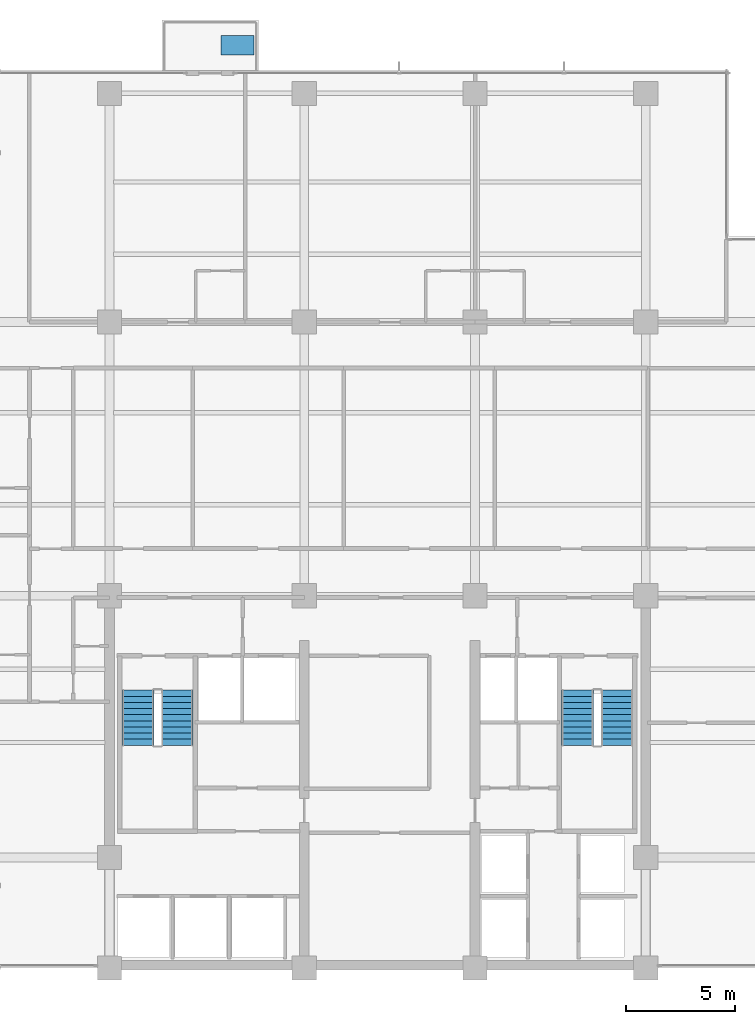
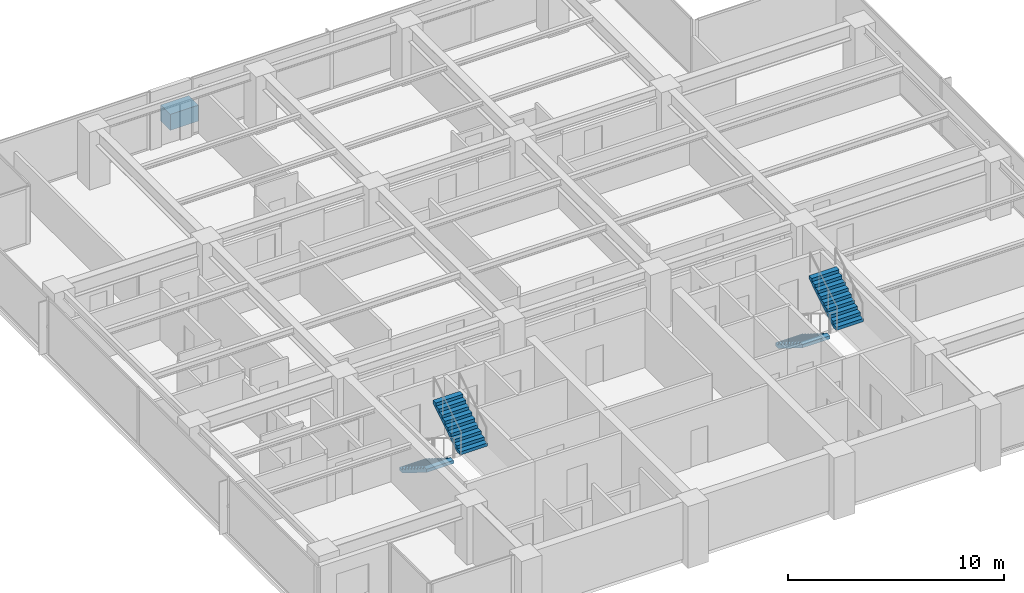
# One storey, part 10 of 14: 4 stair flights, 1 discrete accessory, 2 elements without a shape of their own.
"""IFC4 building model written with IfcOpenShell, lengths in metres."""

from ifc_helpers import new_model, si_unit, direction, frame, origin, place, context, subcontext, project, spatial, polyline, outline, extrude, material, layer, layer_set, type_object, element, aggregate, save


model = new_model("IFC4")

# Units and contexts
model_context = context("Model", 3, precision=1e-05, world=origin(), true_north=direction((0.0, 1.0)))
body_context = subcontext(model_context, "Body", "Model", "MODEL_VIEW")
ifc_project = project(units=[si_unit("LENGTHUNIT", "METRE"), si_unit("AREAUNIT", "SQUARE_METRE"), si_unit("VOLUMEUNIT", "CUBIC_METRE"), si_unit("PLANEANGLEUNIT", "RADIAN"), si_unit("MASSUNIT", "GRAM", prefix="KILO")], contexts=[model_context])

# Site, building, storey
site_placement = place(None, origin())
site = spatial("IfcSite", under=ifc_project, at=site_placement, CompositionType="ELEMENT")
building_placement = place(site_placement, origin())
building = spatial("IfcBuilding", under=site, at=building_placement, Name="Qalmaran Belvedere Hotel", CompositionType="ELEMENT")
storey_placement = place(building_placement, frame((0.0, 0.0, 166.60009765625)))
storey = spatial("IfcBuildingStorey", under=building, at=storey_placement, Name="L42", CompositionType="ELEMENT", Elevation=166.60009765625)

# Stair, stair flights
ifc_material = material(Name="Concrete C40/50", Category="concrete")
stair_type_1 = type_object("IfcStairType", Name="STR-ST-1-1450-R1750", PredefinedType="HALF_TURN_STAIR", material=ifc_material)
stair_1_placement = place(storey_placement, origin())
stair_1 = element("IfcStair", 1, at=stair_1_placement, inside=storey, type_object=stair_type_1, Name="L42 West Core Exit Stair ST-1", PredefinedType="HALF_TURN_STAIR")
ifc_layer_1 = layer(ifc_material, 0.14990234375, Name="Concrete C40/50")
ifc_layer_set_1 = layer_set([ifc_layer_1], Name="Concrete C40/50")
stair_flight_type_1 = type_object("IfcStairFlightType", Name="STF-ST-1-1450-R1750", PredefinedType="STRAIGHT", material=ifc_layer_set_1)
stair_flight_1_placement = place(storey_placement, frame((21.60498046875, 16.18994140625, 0.0), z_axis=(0.0, 0.0, 1.0), x_axis=(0.0, -1.0, 0.0)))
stair_flight_1 = element("IfcStairFlight", 2, at=stair_flight_1_placement, type_object=stair_flight_type_1, Name="ST-1 flight 1", NumberOfRisers=10, NumberOfTreads=9, PredefinedType="STRAIGHT", RiserHeight=0.175, TreadLength=0.28, context=body_context, shape_type="SweptSolid", body=[
    extrude(outline(polyline([(0.0, 0.0), (0.0, 0.175048828125), (0.280029296875, 0.175048828125), (0.280029296875, 0.35009765625), (0.56005859375, 0.35009765625), (0.56005859375, 0.52490234375), (0.840087890625, 0.52490234375), (0.840087890625, 0.699951171875), (1.1201171875, 0.699951171875), (1.1201171875, 0.875), (1.39990234375, 0.875), (1.39990234375, 1.050048828125), (1.679931640625, 1.050048828125), (1.679931640625, 1.22509765625), (1.9599609375, 1.22509765625), (1.9599609375, 1.39990234375), (2.239990234375, 1.39990234375), (2.239990234375, 1.574951171875), (2.52001953125, 1.574951171875), (2.52001953125, 1.75), (2.52001953125, 1.398193359375), (0.28271484375, 0.0), (0.0, 0.0)])), frame((0.0, 0.72509765625, 0.0), z_axis=(0.0, -1.0, 0.0), x_axis=(1.0, 0.0, 0.0)), (0.0, 0.0, 1.0), 1.449951171875),
])
stair_flight_2_placement = place(storey_placement, frame((23.39501953125, 13.669921875, 1.75), z_axis=(0.0, 0.0, 1.0), x_axis=(0.0, 1.0, 0.0)))
stair_flight_2 = element("IfcStairFlight", 3, at=stair_flight_2_placement, type_object=stair_flight_type_1, Name="ST-1 flight 2", NumberOfRisers=10, NumberOfTreads=9, PredefinedType="STRAIGHT", RiserHeight=0.175, TreadLength=0.28, context=body_context, shape_type="SweptSolid", body=[
    extrude(outline(polyline([(0.0, 0.0), (0.0, 0.175048828125), (0.280029296875, 0.175048828125), (0.280029296875, 0.35009765625), (0.56005859375, 0.35009765625), (0.56005859375, 0.52490234375), (0.840087890625, 0.52490234375), (0.840087890625, 0.699951171875), (1.1201171875, 0.699951171875), (1.1201171875, 0.875), (1.39990234375, 0.875), (1.39990234375, 1.050048828125), (1.679931640625, 1.050048828125), (1.679931640625, 1.22509765625), (1.9599609375, 1.22509765625), (1.9599609375, 1.39990234375), (2.239990234375, 1.39990234375), (2.239990234375, 1.574951171875), (2.52001953125, 1.574951171875), (2.52001953125, 1.75), (2.52001953125, 1.398193359375), (0.28271484375, 0.0), (0.0, 0.0)])), frame((0.0, 0.72509765625, 0.0), z_axis=(0.0, -1.0, 0.0), x_axis=(1.0, 0.0, 0.0)), (0.0, 0.0, 1.0), 1.449951171875),
])
aggregate(stair_1, [stair_flight_1, stair_flight_2])

stair_type_2 = type_object("IfcStairType", Name="STR-ST-2-1450-R1750", PredefinedType="HALF_TURN_STAIR", material=ifc_material)
stair_2_placement = place(storey_placement, origin())
stair_2 = element("IfcStair", 4, at=stair_2_placement, inside=storey, type_object=stair_type_2, Name="L42 East Core Exit Stair ST-2", PredefinedType="HALF_TURN_STAIR")
ifc_layer_2 = layer(ifc_material, 0.14990234375, Name="Concrete C40/50")
ifc_layer_set_2 = layer_set([ifc_layer_2], Name="Concrete C40/50")
stair_flight_type_2 = type_object("IfcStairFlightType", Name="STF-ST-2-1450-R1750", PredefinedType="STRAIGHT", material=ifc_layer_set_2)
stair_flight_3_placement = place(storey_placement, frame((41.68505859375, 16.18994140625, 0.0), z_axis=(0.0, 0.0, 1.0), x_axis=(0.0, -1.0, 0.0)))
stair_flight_3 = element("IfcStairFlight", 5, at=stair_flight_3_placement, type_object=stair_flight_type_2, Name="ST-2 flight 1", NumberOfRisers=10, NumberOfTreads=9, PredefinedType="STRAIGHT", RiserHeight=0.175, TreadLength=0.28, context=body_context, shape_type="SweptSolid", body=[
    extrude(outline(polyline([(0.0, 0.0), (0.0, 0.175048828125), (0.280029296875, 0.175048828125), (0.280029296875, 0.35009765625), (0.56005859375, 0.35009765625), (0.56005859375, 0.52490234375), (0.840087890625, 0.52490234375), (0.840087890625, 0.699951171875), (1.1201171875, 0.699951171875), (1.1201171875, 0.875), (1.39990234375, 0.875), (1.39990234375, 1.050048828125), (1.679931640625, 1.050048828125), (1.679931640625, 1.22509765625), (1.9599609375, 1.22509765625), (1.9599609375, 1.39990234375), (2.239990234375, 1.39990234375), (2.239990234375, 1.574951171875), (2.52001953125, 1.574951171875), (2.52001953125, 1.75), (2.52001953125, 1.398193359375), (0.28271484375, 0.0), (0.0, 0.0)])), frame((0.0, 0.72509765625, 0.0), z_axis=(0.0, -1.0, 0.0), x_axis=(1.0, 0.0, 0.0)), (0.0, 0.0, 1.0), 1.449951171875),
])
stair_flight_4_placement = place(storey_placement, frame((43.47509765625, 13.669921875, 1.75), z_axis=(0.0, 0.0, 1.0), x_axis=(0.0, 1.0, 0.0)))
stair_flight_4 = element("IfcStairFlight", 6, at=stair_flight_4_placement, type_object=stair_flight_type_2, Name="ST-2 flight 2", NumberOfRisers=10, NumberOfTreads=9, PredefinedType="STRAIGHT", RiserHeight=0.175, TreadLength=0.28, context=body_context, shape_type="SweptSolid", body=[
    extrude(outline(polyline([(0.0, 0.0), (0.0, 0.175048828125), (0.280029296875, 0.175048828125), (0.280029296875, 0.35009765625), (0.56005859375, 0.35009765625), (0.56005859375, 0.52490234375), (0.840087890625, 0.52490234375), (0.840087890625, 0.699951171875), (1.1201171875, 0.699951171875), (1.1201171875, 0.875), (1.39990234375, 0.875), (1.39990234375, 1.050048828125), (1.679931640625, 1.050048828125), (1.679931640625, 1.22509765625), (1.9599609375, 1.22509765625), (1.9599609375, 1.39990234375), (2.239990234375, 1.39990234375), (2.239990234375, 1.574951171875), (2.52001953125, 1.574951171875), (2.52001953125, 1.75), (2.52001953125, 1.398193359375), (0.28271484375, 0.0), (0.0, 0.0)])), frame((0.0, 0.72509765625, 0.0), z_axis=(0.0, -1.0, 0.0), x_axis=(1.0, 0.0, 0.0)), (0.0, 0.0, 1.0), 1.449951171875),
])
aggregate(stair_2, [stair_flight_3, stair_flight_4])

# Discrete accessory
discrete_accessory_type = type_object("IfcDiscreteAccessoryType", Name="PLN-BAL-1500", PredefinedType="USERDEFINED", material=ifc_material)
discrete_accessory_placement = place(storey_placement, origin())
element("IfcDiscreteAccessory", 7, at=discrete_accessory_placement, inside=storey, type_object=discrete_accessory_type, Name="L42 Sky Tree Planter", ObjectType="PLANTER", PredefinedType="USERDEFINED", context=body_context, shape_type="SweptSolid", body=[
    extrude(outline(polyline([(25.39990234375, 45.199951171875), (26.89990234375, 45.199951171875), (26.89990234375, 46.10009765625), (25.39990234375, 46.10009765625), (25.39990234375, 45.199951171875)])), origin(), (0.0, 0.0, 1.0), 0.89990234375),
])

save(model, "model.ifc")
